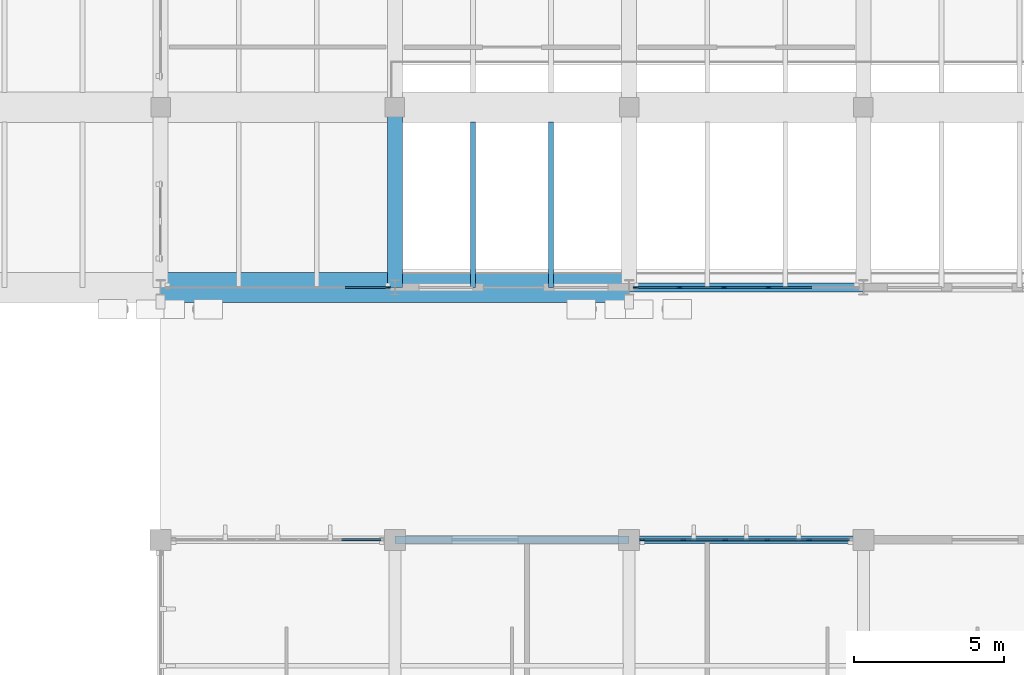
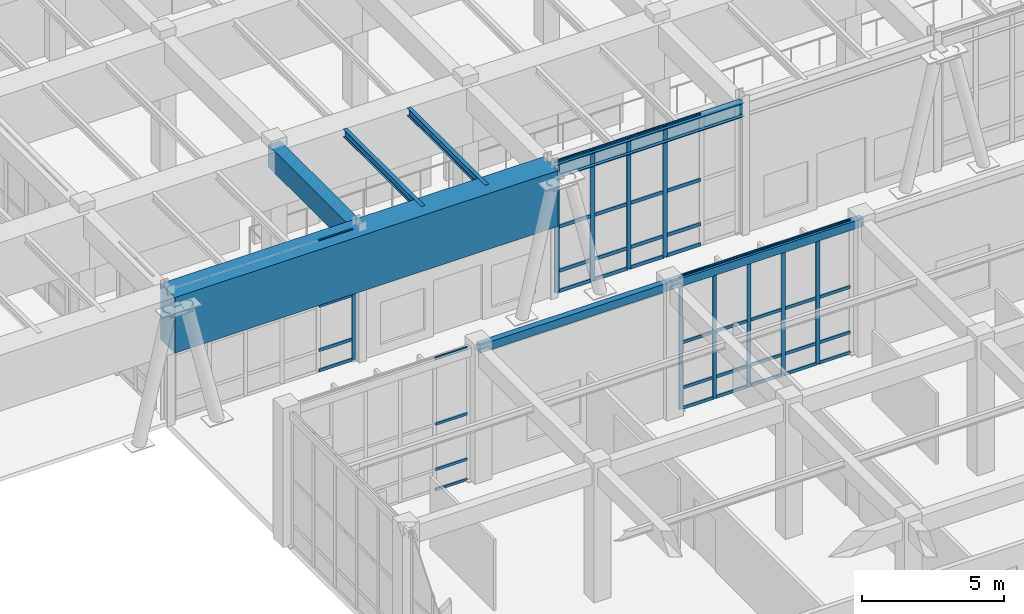
# One storey, part 20 of 110: 54 members, 7 beams, 4 elements without a shape of their own.
"""IFC4 building model written with IfcOpenShell, lengths in metres."""

from ifc_helpers import new_model, si_unit, direction, frame, origin, origin_2d, place, context, subcontext, project, spatial, rectangle, hollow_rectangle, i_section, extrude, material, material_profile, profile_set, type_object, element, aggregate, save


model = new_model("IFC4")

# Units and contexts
model_context = context("Model", 3, precision=1e-05, world=origin(), true_north=direction((0.0, 1.0)))
body_context = subcontext(model_context, "Body", "Model", "MODEL_VIEW")
ifc_project = project(units=[si_unit("LENGTHUNIT", "METRE"), si_unit("AREAUNIT", "SQUARE_METRE"), si_unit("VOLUMEUNIT", "CUBIC_METRE"), si_unit("PLANEANGLEUNIT", "RADIAN"), si_unit("MASSUNIT", "GRAM", prefix="KILO")], contexts=[model_context])

# Site, building, storey
site_placement = place(None, origin())
site = spatial("IfcSite", under=ifc_project, at=site_placement, CompositionType="ELEMENT")
building_placement = place(site_placement, origin())
building = spatial("IfcBuilding", under=site, at=building_placement, Name="Tizgana Railside Sports Hall", CompositionType="ELEMENT")
storey_placement = place(building_placement, origin())
storey = spatial("IfcBuildingStorey", under=building, at=storey_placement, Name="L00", CompositionType="ELEMENT", Elevation=0.0)

# Beam
ifc_material_1 = material(Name="Concrete C40/50", Category="concrete")
ifc_material_profile_1 = material_profile(ifc_material_1, rectangle(XDim=0.5, YDim=0.949951171875, at=origin_2d()), Name="RCB 500x950")
ifc_profile_set_1 = profile_set([ifc_material_profile_1], Name="Concrete C40/50")
beam_type_1 = type_object("IfcBeamType", Name="Concrete Beam RCB 500x950", PredefinedType="BEAM", material=ifc_profile_set_1)
beam_1_placement = place(storey_placement, frame((15.60009765625, 40.800048828125, 5.180908203125), z_axis=(0.0, 1.0, 0.0), x_axis=(-1.0, 0.0, 0.0)))
element("IfcBeam", 1, at=beam_1_placement, inside=storey, type_object=beam_type_1, Name="L00 BEM-0144", PredefinedType="BEAM", context=body_context, shape_type="SweptSolid", body=[
    extrude(rectangle(XDim=0.5, YDim=0.949951171875, at=origin_2d()), origin(), (0.0, 0.0, 1.0), 6.0),
])

# Curtain wall, member
ifc_material_2 = material(Name="Anodised aluminium and glass", Category="aluminium")
curtain_wall_type_1 = type_object("IfcCurtainWallType", Name="Unitised Curtain Wall Foyer 1300", PredefinedType="NOTDEFINED", material=ifc_material_2)
curtain_wall_1_placement = place(storey_placement, origin())
curtain_wall_1 = element("IfcCurtainWall", 2, at=curtain_wall_1_placement, inside=storey, type_object=curtain_wall_type_1, Name="L00 Curtain Wall CW-0001", PredefinedType="NOTDEFINED")
ifc_material_3 = material(Name="Anodised aluminium", Category="aluminium")
ifc_material_profile_2 = material_profile(ifc_material_3, rectangle(XDim=0.06005859375, YDim=0.159912109375, at=origin_2d()), Name="Mullion 60x160")
ifc_profile_set_2 = profile_set([ifc_material_profile_2], Name="Anodised aluminium")
member_type_1 = type_object("IfcMemberType", Name="Mullion 60x160", PredefinedType="MULLION", material=ifc_profile_set_2)
member_1_placement = place(storey_placement, frame((15.364990234375, 40.800048828125, 0.044921875), z_axis=(0.0, 0.0, 1.0), x_axis=(0.0, -1.0, 0.0)))
member_1 = element("IfcMember", 3, at=member_1_placement, type_object=member_type_1, Name="CW-02 mullion 1", PredefinedType="MULLION", context=body_context, shape_type="SweptSolid", body=[
    extrude(rectangle(XDim=0.06005859375, YDim=0.159912109375, at=origin_2d()), origin(), (0.0, 0.0, 1.0), 5.60498046875),
])

# Curtain wall, members
curtain_wall_type_2 = type_object("IfcCurtainWallType", Name="Unitised Curtain Wall EastHall 1500", PredefinedType="NOTDEFINED", material=ifc_material_2)
curtain_wall_2_placement = place(storey_placement, origin())
curtain_wall_2 = element("IfcCurtainWall", 4, at=curtain_wall_2_placement, inside=storey, type_object=curtain_wall_type_2, Name="L00 Curtain Wall CW-0079", PredefinedType="NOTDEFINED")
member_2_placement = place(storey_placement, frame((23.8349609375, 32.39990234375, 0.044921875), z_axis=(0.0, 0.0, 1.0), x_axis=(0.0, 1.0, 0.0)))
member_2 = element("IfcMember", 5, at=member_2_placement, type_object=member_type_1, Name="CW-08 mullion 1", PredefinedType="MULLION", context=body_context, shape_type="SweptSolid", body=[
    extrude(rectangle(XDim=0.06005859375, YDim=0.159912109375, at=origin_2d()), origin(), (0.0, 0.0, 1.0), 5.705078125),
])
member_3_placement = place(storey_placement, frame((25.202880859375, 32.39990234375, 0.044921875), z_axis=(0.0, 0.0, 1.0), x_axis=(0.0, 1.0, 0.0)))
member_3 = element("IfcMember", 6, at=member_3_placement, type_object=member_type_1, Name="CW-08 mullion 2", PredefinedType="MULLION", context=body_context, shape_type="SweptSolid", body=[
    extrude(rectangle(XDim=0.06005859375, YDim=0.159912109375, at=origin_2d()), origin(), (0.0, 0.0, 1.0), 5.705078125),
])
member_4_placement = place(storey_placement, frame((26.60107421875, 32.39990234375, 0.044921875), z_axis=(0.0, 0.0, 1.0), x_axis=(0.0, 1.0, 0.0)))
member_4 = element("IfcMember", 7, at=member_4_placement, type_object=member_type_1, Name="CW-08 mullion 3", PredefinedType="MULLION", context=body_context, shape_type="SweptSolid", body=[
    extrude(rectangle(XDim=0.06005859375, YDim=0.159912109375, at=origin_2d()), origin(), (0.0, 0.0, 1.0), 5.705078125),
])
member_5_placement = place(storey_placement, frame((27.9990234375, 32.39990234375, 0.044921875), z_axis=(0.0, 0.0, 1.0), x_axis=(0.0, 1.0, 0.0)))
member_5 = element("IfcMember", 8, at=member_5_placement, type_object=member_type_1, Name="CW-08 mullion 4", PredefinedType="MULLION", context=body_context, shape_type="SweptSolid", body=[
    extrude(rectangle(XDim=0.06005859375, YDim=0.159912109375, at=origin_2d()), origin(), (0.0, 0.0, 1.0), 5.705078125),
])
member_6_placement = place(storey_placement, frame((29.39697265625, 32.39990234375, 0.044921875), z_axis=(0.0, 0.0, 1.0), x_axis=(0.0, 1.0, 0.0)))
member_6 = element("IfcMember", 9, at=member_6_placement, type_object=member_type_1, Name="CW-08 mullion 5", PredefinedType="MULLION", context=body_context, shape_type="SweptSolid", body=[
    extrude(rectangle(XDim=0.06005859375, YDim=0.159912109375, at=origin_2d()), origin(), (0.0, 0.0, 1.0), 5.705078125),
])

curtain_wall_type_3 = type_object("IfcCurtainWallType", Name="Unitised Curtain Wall Studio 1400", PredefinedType="NOTDEFINED", material=ifc_material_2)
curtain_wall_3_placement = place(storey_placement, origin())
curtain_wall_3 = element("IfcCurtainWall", 10, at=curtain_wall_3_placement, inside=storey, type_object=curtain_wall_type_3, Name="L00 Curtain Wall CW-0002", PredefinedType="NOTDEFINED")
ifc_material_profile_3 = material_profile(ifc_material_3, rectangle(XDim=0.06005859375, YDim=0.179931640625, at=origin_2d()), Name="Mullion 60x180")
ifc_profile_set_3 = profile_set([ifc_material_profile_3], Name="Anodised aluminium")
member_type_2 = type_object("IfcMemberType", Name="Mullion 60x180", PredefinedType="MULLION", material=ifc_profile_set_3)
member_7_placement = place(storey_placement, frame((28.0390625, 40.800048828125, 0.044921875), z_axis=(0.0, 0.0, 1.0), x_axis=(0.0, -1.0, 0.0)))
member_7 = element("IfcMember", 11, at=member_7_placement, type_object=member_type_2, Name="CW-03 mullion 3", PredefinedType="MULLION", context=body_context, shape_type="SweptSolid", body=[
    extrude(rectangle(XDim=0.06005859375, YDim=0.179931640625, at=origin_2d()), origin(), (0.0, 0.0, 1.0), 5.60498046875),
])
member_8_placement = place(storey_placement, frame((26.56103515625, 40.800048828125, 0.044921875), z_axis=(0.0, 0.0, 1.0), x_axis=(0.0, -1.0, 0.0)))
member_8 = element("IfcMember", 12, at=member_8_placement, type_object=member_type_2, Name="CW-03 mullion 4", PredefinedType="MULLION", context=body_context, shape_type="SweptSolid", body=[
    extrude(rectangle(XDim=0.06005859375, YDim=0.179931640625, at=origin_2d()), origin(), (0.0, 0.0, 1.0), 5.60498046875),
])
member_9_placement = place(storey_placement, frame((25.0830078125, 40.800048828125, 0.044921875), z_axis=(0.0, 0.0, 1.0), x_axis=(0.0, -1.0, 0.0)))
member_9 = element("IfcMember", 13, at=member_9_placement, type_object=member_type_2, Name="CW-03 mullion 5", PredefinedType="MULLION", context=body_context, shape_type="SweptSolid", body=[
    extrude(rectangle(XDim=0.06005859375, YDim=0.179931640625, at=origin_2d()), origin(), (0.0, 0.0, 1.0), 5.60498046875),
])
member_10_placement = place(storey_placement, frame((23.635009765625, 40.800048828125, 0.044921875), z_axis=(0.0, 0.0, 1.0), x_axis=(0.0, -1.0, 0.0)))
member_10 = element("IfcMember", 14, at=member_10_placement, type_object=member_type_2, Name="CW-03 mullion 6", PredefinedType="MULLION", context=body_context, shape_type="SweptSolid", body=[
    extrude(rectangle(XDim=0.06005859375, YDim=0.179931640625, at=origin_2d()), origin(), (0.0, 0.0, 1.0), 5.60498046875),
])

# Beams
ifc_material_profile_4 = material_profile(ifc_material_1, rectangle(XDim=1.0, YDim=2.39990234375, at=origin_2d()), Name="PTG 1000x2400")
ifc_profile_set_4 = profile_set([ifc_material_profile_4], Name="Concrete C40/50")
beam_type_2 = type_object("IfcBeamType", Name="Post-Tensioned Girder PTG 1000x2400", PredefinedType="BEAM", material=ifc_profile_set_4)
beam_2_placement = place(storey_placement, frame((7.800048828125, 40.800048828125, 4.4560546875), z_axis=(1.0, 0.0, 0.0), x_axis=(0.0, 1.0, 0.0)))
element("IfcBeam", 15, at=beam_2_placement, inside=storey, type_object=beam_type_2, Name="L00 PTG-0002", PredefinedType="BEAM", context=body_context, shape_type="SweptSolid", body=[
    extrude(rectangle(XDim=1.0, YDim=2.39990234375, at=origin_2d()), origin(), (0.0, 0.0, 1.0), 15.599853515625),
])
ifc_material_4 = material(Name="Steel S355J2", Category="steel")
ifc_material_profile_5 = material_profile(ifc_material_4, i_section(OverallWidth=0.300048828125, OverallDepth=0.60009765625, WebThickness=0.015380859375, FlangeThickness=0.030029296875, FilletRadius=0.027099609375, at=origin_2d()), Name="HEB 600")
ifc_profile_set_5 = profile_set([ifc_material_profile_5], Name="Steel S355J2")
beam_type_3 = type_object("IfcBeamType", Name="Steel Beam HEB 600", PredefinedType="BEAM", material=ifc_profile_set_5)
beam_3_placement = place(storey_placement, frame((23.39990234375, 40.800048828125, 5.3359375), z_axis=(1.0, 0.0, 0.0), x_axis=(0.0, 1.0, 0.0)))
element("IfcBeam", 16, at=beam_3_placement, inside=storey, type_object=beam_type_3, Name="L00 BEM-0093", PredefinedType="BEAM", context=body_context, shape_type="SweptSolid", body=[
    extrude(i_section(OverallWidth=0.300048828125, OverallDepth=0.60009765625, WebThickness=0.015380859375, FlangeThickness=0.030029296875, FilletRadius=0.027099609375, at=origin_2d()), origin(), (0.0, 0.0, 1.0), 7.800048828125),
])
ifc_material_profile_6 = material_profile(ifc_material_4, i_section(OverallWidth=0.159912109375, OverallDepth=0.330078125, WebThickness=0.007568359375, FlangeThickness=0.011474609375, FilletRadius=0.01806640625, at=origin_2d()), Name="IPE 330")
ifc_profile_set_6 = profile_set([ifc_material_profile_6], Name="Steel S355J2")
beam_type_4 = type_object("IfcBeamType", Name="Steel Joist IPE 330", PredefinedType="JOIST", material=ifc_profile_set_6)
for number, where, z_axis, x_axis, name in (
    (17, (18.199951171875, 40.800048828125, 5.490966796875), (0.0, 1.0, 0.0), (-1.0, 0.0, 0.0), "L00 BEM-0198"),
    (18, (20.800048828125, 40.800048828125, 5.490966796875), (0.0, 1.0, 0.0), (-1.0, 0.0, 0.0), "L00 BEM-0203"),
):
    element("IfcBeam", number, at=place(storey_placement, frame(where, z_axis=z_axis, x_axis=x_axis)), inside=storey, type_object=beam_type_4, Name=name, PredefinedType="JOIST", context=body_context, shape_type="SweptSolid", body=[
        extrude(i_section(OverallWidth=0.159912109375, OverallDepth=0.330078125, WebThickness=0.007568359375, FlangeThickness=0.011474609375, FilletRadius=0.01806640625, at=origin_2d()), origin(), (0.0, 0.0, 1.0), 5.5048828125),
    ])
ifc_material_profile_7 = material_profile(ifc_material_4, hollow_rectangle(XDim=0.25, YDim=0.35009765625, WallThickness=0.011962890625, at=origin_2d()), Name="RHS 350x250x12")
ifc_profile_set_7 = profile_set([ifc_material_profile_7], Name="Steel S355J2")
beam_type_5 = type_object("IfcBeamType", Name="Steel Spandrel RHS 350x250x12", PredefinedType="SPANDREL", material=ifc_profile_set_7)
beam_4_placement = place(storey_placement, frame((15.60009765625, 32.39990234375, 5.571044921875), z_axis=(1.0, 0.0, 0.0), x_axis=(0.0, 1.0, 0.0)))
element("IfcBeam", 19, at=beam_4_placement, inside=storey, type_object=beam_type_5, Name="L00 BEM-0388", PredefinedType="SPANDREL", context=body_context, shape_type="SweptSolid", body=[
    extrude(hollow_rectangle(XDim=0.25, YDim=0.35009765625, WallThickness=0.011962890625, at=origin_2d()), origin(), (0.0, 0.0, 1.0), 7.7998046875),
])
beam_5_placement = place(storey_placement, frame((23.39990234375, 32.39990234375, 5.571044921875), z_axis=(1.0, 0.0, 0.0), x_axis=(0.0, 1.0, 0.0)))
element("IfcBeam", 20, at=beam_5_placement, inside=storey, type_object=beam_type_5, Name="L00 BEM-0396", PredefinedType="SPANDREL", context=body_context, shape_type="SweptSolid", body=[
    extrude(hollow_rectangle(XDim=0.25, YDim=0.35009765625, WallThickness=0.011962890625, at=origin_2d()), origin(), (0.0, 0.0, 1.0), 7.800048828125),
])

# Curtain wall, members
curtain_wall_type_4 = type_object("IfcCurtainWallType", Name="Unitised Curtain Wall WestHall 1560", PredefinedType="NOTDEFINED", material=ifc_material_2)
curtain_wall_4_placement = place(storey_placement, origin())
curtain_wall_4 = element("IfcCurtainWall", 21, at=curtain_wall_4_placement, inside=storey, type_object=curtain_wall_type_4, Name="L00 Curtain Wall CW-0078", PredefinedType="NOTDEFINED")
ifc_material_profile_8 = material_profile(ifc_material_3, rectangle(XDim=0.06005859375, YDim=0.110107421875, at=origin_2d()), Name="Transom 60x110")
ifc_profile_set_8 = profile_set([ifc_material_profile_8], Name="Anodised aluminium")
member_type_3 = type_object("IfcMemberType", Name="Transom 60x110", PredefinedType="USERDEFINED", material=ifc_profile_set_8)
member_11_placement = place(storey_placement, frame((13.826904296875, 32.39990234375, 0.074951171875), z_axis=(1.0, 0.0, 0.0), x_axis=(0.0, 1.0, 0.0)))
member_11 = element("IfcMember", 22, at=member_11_placement, type_object=member_type_3, Name="CW-07 transom 5.1", ObjectType="TRANSOM", PredefinedType="USERDEFINED", context=body_context, shape_type="SweptSolid", body=[
    extrude(rectangle(XDim=0.06005859375, YDim=0.110107421875, at=origin_2d()), origin(), (0.0, 0.0, 1.0), 1.30810546875),
])
member_12_placement = place(storey_placement, frame((13.826904296875, 32.39990234375, 0.945068359375), z_axis=(1.0, 0.0, 0.0), x_axis=(0.0, 1.0, 0.0)))
member_12 = element("IfcMember", 23, at=member_12_placement, type_object=member_type_3, Name="CW-07 transom 5.2", ObjectType="TRANSOM", PredefinedType="USERDEFINED", context=body_context, shape_type="SweptSolid", body=[
    extrude(rectangle(XDim=0.06005859375, YDim=0.110107421875, at=origin_2d()), origin(), (0.0, 0.0, 1.0), 1.30810546875),
])
member_13_placement = place(storey_placement, frame((13.826904296875, 32.39990234375, 2.8974609375), z_axis=(1.0, 0.0, 0.0), x_axis=(0.0, 1.0, 0.0)))
member_13 = element("IfcMember", 24, at=member_13_placement, type_object=member_type_3, Name="CW-07 transom 5.3", ObjectType="TRANSOM", PredefinedType="USERDEFINED", context=body_context, shape_type="SweptSolid", body=[
    extrude(rectangle(XDim=0.06005859375, YDim=0.110107421875, at=origin_2d()), origin(), (0.0, 0.0, 1.0), 1.30810546875),
])
member_14_placement = place(storey_placement, frame((13.826904296875, 32.39990234375, 5.719970703125), z_axis=(1.0, 0.0, 0.0), x_axis=(0.0, 1.0, 0.0)))
member_14 = element("IfcMember", 25, at=member_14_placement, type_object=member_type_3, Name="CW-07 transom 5.4", ObjectType="TRANSOM", PredefinedType="USERDEFINED", context=body_context, shape_type="SweptSolid", body=[
    extrude(rectangle(XDim=0.06005859375, YDim=0.110107421875, at=origin_2d()), origin(), (0.0, 0.0, 1.0), 1.30810546875),
])
aggregate(curtain_wall_4, [member_11, member_12, member_13, member_14])

# Member
ifc_material_profile_9 = material_profile(ifc_material_3, rectangle(XDim=0.06005859375, YDim=0.1298828125, at=origin_2d()), Name="Transom 60x130")
ifc_profile_set_9 = profile_set([ifc_material_profile_9], Name="Anodised aluminium")
member_type_4 = type_object("IfcMemberType", Name="Transom 60x130", PredefinedType="USERDEFINED", material=ifc_profile_set_9)
member_15_placement = place(storey_placement, frame((15.3349609375, 40.800048828125, 0.074951171875), z_axis=(-1.0, 0.0, 0.0), x_axis=(0.0, -1.0, 0.0)))
member_15 = element("IfcMember", 26, at=member_15_placement, type_object=member_type_4, Name="CW-02 transom 1.1", ObjectType="TRANSOM", PredefinedType="USERDEFINED", context=body_context, shape_type="SweptSolid", body=[
    extrude(rectangle(XDim=0.06005859375, YDim=0.1298828125, at=origin_2d()), origin(), (0.0, 0.0, 1.0), 1.387939453125),
])

member_16_placement = place(storey_placement, frame((15.3349609375, 40.800048828125, 0.945068359375), z_axis=(-1.0, 0.0, 0.0), x_axis=(0.0, -1.0, 0.0)))
member_16 = element("IfcMember", 27, at=member_16_placement, type_object=member_type_4, Name="CW-02 transom 1.2", ObjectType="TRANSOM", PredefinedType="USERDEFINED", context=body_context, shape_type="SweptSolid", body=[
    extrude(rectangle(XDim=0.06005859375, YDim=0.1298828125, at=origin_2d()), origin(), (0.0, 0.0, 1.0), 1.387939453125),
])

member_17_placement = place(storey_placement, frame((15.3349609375, 40.800048828125, 2.847412109375), z_axis=(-1.0, 0.0, 0.0), x_axis=(0.0, -1.0, 0.0)))
member_17 = element("IfcMember", 28, at=member_17_placement, type_object=member_type_4, Name="CW-02 transom 1.3", ObjectType="TRANSOM", PredefinedType="USERDEFINED", context=body_context, shape_type="SweptSolid", body=[
    extrude(rectangle(XDim=0.06005859375, YDim=0.1298828125, at=origin_2d()), origin(), (0.0, 0.0, 1.0), 1.387939453125),
])

member_18_placement = place(storey_placement, frame((15.3349609375, 40.800048828125, 5.6201171875), z_axis=(-1.0, 0.0, 0.0), x_axis=(0.0, -1.0, 0.0)))
member_18 = element("IfcMember", 29, at=member_18_placement, type_object=member_type_4, Name="CW-02 transom 1.4", ObjectType="TRANSOM", PredefinedType="USERDEFINED", context=body_context, shape_type="SweptSolid", body=[
    extrude(rectangle(XDim=0.06005859375, YDim=0.1298828125, at=origin_2d()), origin(), (0.0, 0.0, 1.0), 1.387939453125),
])

aggregate(curtain_wall_1, [member_1, member_15, member_16, member_17, member_18])

member_19_placement = place(storey_placement, frame((23.864990234375, 32.39990234375, 0.074951171875), z_axis=(1.0, 0.0, 0.0), x_axis=(0.0, 1.0, 0.0)))
member_19 = element("IfcMember", 30, at=member_19_placement, type_object=member_type_4, Name="CW-08 transom 1.1", ObjectType="TRANSOM", PredefinedType="USERDEFINED", context=body_context, shape_type="SweptSolid", body=[
    extrude(rectangle(XDim=0.06005859375, YDim=0.1298828125, at=origin_2d()), origin(), (0.0, 0.0, 1.0), 1.30810546875),
])

member_20_placement = place(storey_placement, frame((23.864990234375, 32.39990234375, 0.945068359375), z_axis=(1.0, 0.0, 0.0), x_axis=(0.0, 1.0, 0.0)))
member_20 = element("IfcMember", 31, at=member_20_placement, type_object=member_type_4, Name="CW-08 transom 1.2", ObjectType="TRANSOM", PredefinedType="USERDEFINED", context=body_context, shape_type="SweptSolid", body=[
    extrude(rectangle(XDim=0.06005859375, YDim=0.1298828125, at=origin_2d()), origin(), (0.0, 0.0, 1.0), 1.30810546875),
])

member_21_placement = place(storey_placement, frame((23.864990234375, 32.39990234375, 2.8974609375), z_axis=(1.0, 0.0, 0.0), x_axis=(0.0, 1.0, 0.0)))
member_21 = element("IfcMember", 32, at=member_21_placement, type_object=member_type_4, Name="CW-08 transom 1.3", ObjectType="TRANSOM", PredefinedType="USERDEFINED", context=body_context, shape_type="SweptSolid", body=[
    extrude(rectangle(XDim=0.06005859375, YDim=0.1298828125, at=origin_2d()), origin(), (0.0, 0.0, 1.0), 1.30810546875),
])

member_22_placement = place(storey_placement, frame((23.864990234375, 32.39990234375, 5.719970703125), z_axis=(1.0, 0.0, 0.0), x_axis=(0.0, 1.0, 0.0)))
member_22 = element("IfcMember", 33, at=member_22_placement, type_object=member_type_4, Name="CW-08 transom 1.4", ObjectType="TRANSOM", PredefinedType="USERDEFINED", context=body_context, shape_type="SweptSolid", body=[
    extrude(rectangle(XDim=0.06005859375, YDim=0.1298828125, at=origin_2d()), origin(), (0.0, 0.0, 1.0), 1.30810546875),
])

member_23_placement = place(storey_placement, frame((25.23291015625, 32.39990234375, 0.074951171875), z_axis=(1.0, 0.0, 0.0), x_axis=(0.0, 1.0, 0.0)))
member_23 = element("IfcMember", 34, at=member_23_placement, type_object=member_type_4, Name="CW-08 transom 2.1", ObjectType="TRANSOM", PredefinedType="USERDEFINED", context=body_context, shape_type="SweptSolid", body=[
    extrude(rectangle(XDim=0.06005859375, YDim=0.1298828125, at=origin_2d()), origin(), (0.0, 0.0, 1.0), 1.338134765625),
])

member_24_placement = place(storey_placement, frame((25.23291015625, 32.39990234375, 0.945068359375), z_axis=(1.0, 0.0, 0.0), x_axis=(0.0, 1.0, 0.0)))
member_24 = element("IfcMember", 35, at=member_24_placement, type_object=member_type_4, Name="CW-08 transom 2.2", ObjectType="TRANSOM", PredefinedType="USERDEFINED", context=body_context, shape_type="SweptSolid", body=[
    extrude(rectangle(XDim=0.06005859375, YDim=0.1298828125, at=origin_2d()), origin(), (0.0, 0.0, 1.0), 1.338134765625),
])

member_25_placement = place(storey_placement, frame((25.23291015625, 32.39990234375, 2.8974609375), z_axis=(1.0, 0.0, 0.0), x_axis=(0.0, 1.0, 0.0)))
member_25 = element("IfcMember", 36, at=member_25_placement, type_object=member_type_4, Name="CW-08 transom 2.3", ObjectType="TRANSOM", PredefinedType="USERDEFINED", context=body_context, shape_type="SweptSolid", body=[
    extrude(rectangle(XDim=0.06005859375, YDim=0.1298828125, at=origin_2d()), origin(), (0.0, 0.0, 1.0), 1.338134765625),
])

member_26_placement = place(storey_placement, frame((25.23291015625, 32.39990234375, 5.719970703125), z_axis=(1.0, 0.0, 0.0), x_axis=(0.0, 1.0, 0.0)))
member_26 = element("IfcMember", 37, at=member_26_placement, type_object=member_type_4, Name="CW-08 transom 2.4", ObjectType="TRANSOM", PredefinedType="USERDEFINED", context=body_context, shape_type="SweptSolid", body=[
    extrude(rectangle(XDim=0.06005859375, YDim=0.1298828125, at=origin_2d()), origin(), (0.0, 0.0, 1.0), 1.338134765625),
])

member_27_placement = place(storey_placement, frame((26.631103515625, 32.39990234375, 0.074951171875), z_axis=(1.0, 0.0, 0.0), x_axis=(0.0, 1.0, 0.0)))
member_27 = element("IfcMember", 38, at=member_27_placement, type_object=member_type_4, Name="CW-08 transom 3.1", ObjectType="TRANSOM", PredefinedType="USERDEFINED", context=body_context, shape_type="SweptSolid", body=[
    extrude(rectangle(XDim=0.06005859375, YDim=0.1298828125, at=origin_2d()), origin(), (0.0, 0.0, 1.0), 1.337890625),
])

member_28_placement = place(storey_placement, frame((26.631103515625, 32.39990234375, 0.945068359375), z_axis=(1.0, 0.0, 0.0), x_axis=(0.0, 1.0, 0.0)))
member_28 = element("IfcMember", 39, at=member_28_placement, type_object=member_type_4, Name="CW-08 transom 3.2", ObjectType="TRANSOM", PredefinedType="USERDEFINED", context=body_context, shape_type="SweptSolid", body=[
    extrude(rectangle(XDim=0.06005859375, YDim=0.1298828125, at=origin_2d()), origin(), (0.0, 0.0, 1.0), 1.337890625),
])

member_29_placement = place(storey_placement, frame((26.631103515625, 32.39990234375, 2.8974609375), z_axis=(1.0, 0.0, 0.0), x_axis=(0.0, 1.0, 0.0)))
member_29 = element("IfcMember", 40, at=member_29_placement, type_object=member_type_4, Name="CW-08 transom 3.3", ObjectType="TRANSOM", PredefinedType="USERDEFINED", context=body_context, shape_type="SweptSolid", body=[
    extrude(rectangle(XDim=0.06005859375, YDim=0.1298828125, at=origin_2d()), origin(), (0.0, 0.0, 1.0), 1.337890625),
])

member_30_placement = place(storey_placement, frame((26.631103515625, 32.39990234375, 5.719970703125), z_axis=(1.0, 0.0, 0.0), x_axis=(0.0, 1.0, 0.0)))
member_30 = element("IfcMember", 41, at=member_30_placement, type_object=member_type_4, Name="CW-08 transom 3.4", ObjectType="TRANSOM", PredefinedType="USERDEFINED", context=body_context, shape_type="SweptSolid", body=[
    extrude(rectangle(XDim=0.06005859375, YDim=0.1298828125, at=origin_2d()), origin(), (0.0, 0.0, 1.0), 1.337890625),
])

member_31_placement = place(storey_placement, frame((28.029052734375, 32.39990234375, 0.074951171875), z_axis=(1.0, 0.0, 0.0), x_axis=(0.0, 1.0, 0.0)))
member_31 = element("IfcMember", 42, at=member_31_placement, type_object=member_type_4, Name="CW-08 transom 4.1", ObjectType="TRANSOM", PredefinedType="USERDEFINED", context=body_context, shape_type="SweptSolid", body=[
    extrude(rectangle(XDim=0.06005859375, YDim=0.1298828125, at=origin_2d()), origin(), (0.0, 0.0, 1.0), 1.337890625),
])

member_32_placement = place(storey_placement, frame((28.029052734375, 32.39990234375, 0.945068359375), z_axis=(1.0, 0.0, 0.0), x_axis=(0.0, 1.0, 0.0)))
member_32 = element("IfcMember", 43, at=member_32_placement, type_object=member_type_4, Name="CW-08 transom 4.2", ObjectType="TRANSOM", PredefinedType="USERDEFINED", context=body_context, shape_type="SweptSolid", body=[
    extrude(rectangle(XDim=0.06005859375, YDim=0.1298828125, at=origin_2d()), origin(), (0.0, 0.0, 1.0), 1.337890625),
])

member_33_placement = place(storey_placement, frame((28.029052734375, 32.39990234375, 2.8974609375), z_axis=(1.0, 0.0, 0.0), x_axis=(0.0, 1.0, 0.0)))
member_33 = element("IfcMember", 44, at=member_33_placement, type_object=member_type_4, Name="CW-08 transom 4.3", ObjectType="TRANSOM", PredefinedType="USERDEFINED", context=body_context, shape_type="SweptSolid", body=[
    extrude(rectangle(XDim=0.06005859375, YDim=0.1298828125, at=origin_2d()), origin(), (0.0, 0.0, 1.0), 1.337890625),
])

member_34_placement = place(storey_placement, frame((28.029052734375, 32.39990234375, 5.719970703125), z_axis=(1.0, 0.0, 0.0), x_axis=(0.0, 1.0, 0.0)))
member_34 = element("IfcMember", 45, at=member_34_placement, type_object=member_type_4, Name="CW-08 transom 4.4", ObjectType="TRANSOM", PredefinedType="USERDEFINED", context=body_context, shape_type="SweptSolid", body=[
    extrude(rectangle(XDim=0.06005859375, YDim=0.1298828125, at=origin_2d()), origin(), (0.0, 0.0, 1.0), 1.337890625),
])

member_35_placement = place(storey_placement, frame((29.427001953125, 32.39990234375, 0.074951171875), z_axis=(1.0, 0.0, 0.0), x_axis=(0.0, 1.0, 0.0)))
member_35 = element("IfcMember", 46, at=member_35_placement, type_object=member_type_4, Name="CW-08 transom 5.1", ObjectType="TRANSOM", PredefinedType="USERDEFINED", context=body_context, shape_type="SweptSolid", body=[
    extrude(rectangle(XDim=0.06005859375, YDim=0.1298828125, at=origin_2d()), origin(), (0.0, 0.0, 1.0), 1.30810546875),
])

member_36_placement = place(storey_placement, frame((29.427001953125, 32.39990234375, 0.945068359375), z_axis=(1.0, 0.0, 0.0), x_axis=(0.0, 1.0, 0.0)))
member_36 = element("IfcMember", 47, at=member_36_placement, type_object=member_type_4, Name="CW-08 transom 5.2", ObjectType="TRANSOM", PredefinedType="USERDEFINED", context=body_context, shape_type="SweptSolid", body=[
    extrude(rectangle(XDim=0.06005859375, YDim=0.1298828125, at=origin_2d()), origin(), (0.0, 0.0, 1.0), 1.30810546875),
])

member_37_placement = place(storey_placement, frame((29.427001953125, 32.39990234375, 2.8974609375), z_axis=(1.0, 0.0, 0.0), x_axis=(0.0, 1.0, 0.0)))
member_37 = element("IfcMember", 48, at=member_37_placement, type_object=member_type_4, Name="CW-08 transom 5.3", ObjectType="TRANSOM", PredefinedType="USERDEFINED", context=body_context, shape_type="SweptSolid", body=[
    extrude(rectangle(XDim=0.06005859375, YDim=0.1298828125, at=origin_2d()), origin(), (0.0, 0.0, 1.0), 1.30810546875),
])

member_38_placement = place(storey_placement, frame((29.427001953125, 32.39990234375, 5.719970703125), z_axis=(1.0, 0.0, 0.0), x_axis=(0.0, 1.0, 0.0)))
member_38 = element("IfcMember", 49, at=member_38_placement, type_object=member_type_4, Name="CW-08 transom 5.4", ObjectType="TRANSOM", PredefinedType="USERDEFINED", context=body_context, shape_type="SweptSolid", body=[
    extrude(rectangle(XDim=0.06005859375, YDim=0.1298828125, at=origin_2d()), origin(), (0.0, 0.0, 1.0), 1.30810546875),
])

aggregate(curtain_wall_2, [member_2, member_3, member_4, member_5, member_6, member_19, member_20, member_21, member_22, member_23, member_24, member_25, member_26, member_27, member_28, member_29, member_30, member_31, member_32, member_33, member_34, member_35, member_36, member_37, member_38])

ifc_material_profile_10 = material_profile(ifc_material_3, rectangle(XDim=0.06005859375, YDim=0.14990234375, at=origin_2d()), Name="Transom 60x150")
ifc_profile_set_10 = profile_set([ifc_material_profile_10], Name="Anodised aluminium")
member_type_5 = type_object("IfcMemberType", Name="Transom 60x150", PredefinedType="USERDEFINED", material=ifc_profile_set_10)
member_39_placement = place(storey_placement, frame((29.487060546875, 40.800048828125, 0.074951171875), z_axis=(-1.0, 0.0, 0.0), x_axis=(0.0, -1.0, 0.0)))
member_39 = element("IfcMember", 50, at=member_39_placement, type_object=member_type_5, Name="CW-03 transom 2.1", ObjectType="TRANSOM", PredefinedType="USERDEFINED", context=body_context, shape_type="SweptSolid", body=[
    extrude(rectangle(XDim=0.06005859375, YDim=0.14990234375, at=origin_2d()), origin(), (0.0, 0.0, 1.0), 1.41796875),
])

member_40_placement = place(storey_placement, frame((29.487060546875, 40.800048828125, 0.945068359375), z_axis=(-1.0, 0.0, 0.0), x_axis=(0.0, -1.0, 0.0)))
member_40 = element("IfcMember", 51, at=member_40_placement, type_object=member_type_5, Name="CW-03 transom 2.2", ObjectType="TRANSOM", PredefinedType="USERDEFINED", context=body_context, shape_type="SweptSolid", body=[
    extrude(rectangle(XDim=0.06005859375, YDim=0.14990234375, at=origin_2d()), origin(), (0.0, 0.0, 1.0), 1.41796875),
])

member_41_placement = place(storey_placement, frame((29.487060546875, 40.800048828125, 2.847412109375), z_axis=(-1.0, 0.0, 0.0), x_axis=(0.0, -1.0, 0.0)))
member_41 = element("IfcMember", 52, at=member_41_placement, type_object=member_type_5, Name="CW-03 transom 2.3", ObjectType="TRANSOM", PredefinedType="USERDEFINED", context=body_context, shape_type="SweptSolid", body=[
    extrude(rectangle(XDim=0.06005859375, YDim=0.14990234375, at=origin_2d()), origin(), (0.0, 0.0, 1.0), 1.41796875),
])

member_42_placement = place(storey_placement, frame((29.487060546875, 40.800048828125, 5.6201171875), z_axis=(-1.0, 0.0, 0.0), x_axis=(0.0, -1.0, 0.0)))
member_42 = element("IfcMember", 53, at=member_42_placement, type_object=member_type_5, Name="CW-03 transom 2.4", ObjectType="TRANSOM", PredefinedType="USERDEFINED", context=body_context, shape_type="SweptSolid", body=[
    extrude(rectangle(XDim=0.06005859375, YDim=0.14990234375, at=origin_2d()), origin(), (0.0, 0.0, 1.0), 1.41796875),
])

member_43_placement = place(storey_placement, frame((28.009033203125, 40.800048828125, 0.074951171875), z_axis=(-1.0, 0.0, 0.0), x_axis=(0.0, -1.0, 0.0)))
member_43 = element("IfcMember", 54, at=member_43_placement, type_object=member_type_5, Name="CW-03 transom 3.1", ObjectType="TRANSOM", PredefinedType="USERDEFINED", context=body_context, shape_type="SweptSolid", body=[
    extrude(rectangle(XDim=0.06005859375, YDim=0.14990234375, at=origin_2d()), origin(), (0.0, 0.0, 1.0), 1.41796875),
])

member_44_placement = place(storey_placement, frame((28.009033203125, 40.800048828125, 0.945068359375), z_axis=(-1.0, 0.0, 0.0), x_axis=(0.0, -1.0, 0.0)))
member_44 = element("IfcMember", 55, at=member_44_placement, type_object=member_type_5, Name="CW-03 transom 3.2", ObjectType="TRANSOM", PredefinedType="USERDEFINED", context=body_context, shape_type="SweptSolid", body=[
    extrude(rectangle(XDim=0.06005859375, YDim=0.14990234375, at=origin_2d()), origin(), (0.0, 0.0, 1.0), 1.41796875),
])

member_45_placement = place(storey_placement, frame((28.009033203125, 40.800048828125, 2.847412109375), z_axis=(-1.0, 0.0, 0.0), x_axis=(0.0, -1.0, 0.0)))
member_45 = element("IfcMember", 56, at=member_45_placement, type_object=member_type_5, Name="CW-03 transom 3.3", ObjectType="TRANSOM", PredefinedType="USERDEFINED", context=body_context, shape_type="SweptSolid", body=[
    extrude(rectangle(XDim=0.06005859375, YDim=0.14990234375, at=origin_2d()), origin(), (0.0, 0.0, 1.0), 1.41796875),
])

member_46_placement = place(storey_placement, frame((28.009033203125, 40.800048828125, 5.6201171875), z_axis=(-1.0, 0.0, 0.0), x_axis=(0.0, -1.0, 0.0)))
member_46 = element("IfcMember", 57, at=member_46_placement, type_object=member_type_5, Name="CW-03 transom 3.4", ObjectType="TRANSOM", PredefinedType="USERDEFINED", context=body_context, shape_type="SweptSolid", body=[
    extrude(rectangle(XDim=0.06005859375, YDim=0.14990234375, at=origin_2d()), origin(), (0.0, 0.0, 1.0), 1.41796875),
])

member_47_placement = place(storey_placement, frame((26.531005859375, 40.800048828125, 0.074951171875), z_axis=(-1.0, 0.0, 0.0), x_axis=(0.0, -1.0, 0.0)))
member_47 = element("IfcMember", 58, at=member_47_placement, type_object=member_type_5, Name="CW-03 transom 4.1", ObjectType="TRANSOM", PredefinedType="USERDEFINED", context=body_context, shape_type="SweptSolid", body=[
    extrude(rectangle(XDim=0.06005859375, YDim=0.14990234375, at=origin_2d()), origin(), (0.0, 0.0, 1.0), 1.41796875),
])

member_48_placement = place(storey_placement, frame((26.531005859375, 40.800048828125, 0.945068359375), z_axis=(-1.0, 0.0, 0.0), x_axis=(0.0, -1.0, 0.0)))
member_48 = element("IfcMember", 59, at=member_48_placement, type_object=member_type_5, Name="CW-03 transom 4.2", ObjectType="TRANSOM", PredefinedType="USERDEFINED", context=body_context, shape_type="SweptSolid", body=[
    extrude(rectangle(XDim=0.06005859375, YDim=0.14990234375, at=origin_2d()), origin(), (0.0, 0.0, 1.0), 1.41796875),
])

member_49_placement = place(storey_placement, frame((26.531005859375, 40.800048828125, 2.847412109375), z_axis=(-1.0, 0.0, 0.0), x_axis=(0.0, -1.0, 0.0)))
member_49 = element("IfcMember", 60, at=member_49_placement, type_object=member_type_5, Name="CW-03 transom 4.3", ObjectType="TRANSOM", PredefinedType="USERDEFINED", context=body_context, shape_type="SweptSolid", body=[
    extrude(rectangle(XDim=0.06005859375, YDim=0.14990234375, at=origin_2d()), origin(), (0.0, 0.0, 1.0), 1.41796875),
])

member_50_placement = place(storey_placement, frame((26.531005859375, 40.800048828125, 5.6201171875), z_axis=(-1.0, 0.0, 0.0), x_axis=(0.0, -1.0, 0.0)))
member_50 = element("IfcMember", 61, at=member_50_placement, type_object=member_type_5, Name="CW-03 transom 4.4", ObjectType="TRANSOM", PredefinedType="USERDEFINED", context=body_context, shape_type="SweptSolid", body=[
    extrude(rectangle(XDim=0.06005859375, YDim=0.14990234375, at=origin_2d()), origin(), (0.0, 0.0, 1.0), 1.41796875),
])

member_51_placement = place(storey_placement, frame((25.052978515625, 40.800048828125, 0.074951171875), z_axis=(-1.0, 0.0, 0.0), x_axis=(0.0, -1.0, 0.0)))
member_51 = element("IfcMember", 62, at=member_51_placement, type_object=member_type_5, Name="CW-03 transom 5.1", ObjectType="TRANSOM", PredefinedType="USERDEFINED", context=body_context, shape_type="SweptSolid", body=[
    extrude(rectangle(XDim=0.06005859375, YDim=0.14990234375, at=origin_2d()), origin(), (0.0, 0.0, 1.0), 1.387939453125),
])

member_52_placement = place(storey_placement, frame((25.052978515625, 40.800048828125, 0.945068359375), z_axis=(-1.0, 0.0, 0.0), x_axis=(0.0, -1.0, 0.0)))
member_52 = element("IfcMember", 63, at=member_52_placement, type_object=member_type_5, Name="CW-03 transom 5.2", ObjectType="TRANSOM", PredefinedType="USERDEFINED", context=body_context, shape_type="SweptSolid", body=[
    extrude(rectangle(XDim=0.06005859375, YDim=0.14990234375, at=origin_2d()), origin(), (0.0, 0.0, 1.0), 1.387939453125),
])

member_53_placement = place(storey_placement, frame((25.052978515625, 40.800048828125, 2.847412109375), z_axis=(-1.0, 0.0, 0.0), x_axis=(0.0, -1.0, 0.0)))
member_53 = element("IfcMember", 64, at=member_53_placement, type_object=member_type_5, Name="CW-03 transom 5.3", ObjectType="TRANSOM", PredefinedType="USERDEFINED", context=body_context, shape_type="SweptSolid", body=[
    extrude(rectangle(XDim=0.06005859375, YDim=0.14990234375, at=origin_2d()), origin(), (0.0, 0.0, 1.0), 1.387939453125),
])

member_54_placement = place(storey_placement, frame((25.052978515625, 40.800048828125, 5.6201171875), z_axis=(-1.0, 0.0, 0.0), x_axis=(0.0, -1.0, 0.0)))
member_54 = element("IfcMember", 65, at=member_54_placement, type_object=member_type_5, Name="CW-03 transom 5.4", ObjectType="TRANSOM", PredefinedType="USERDEFINED", context=body_context, shape_type="SweptSolid", body=[
    extrude(rectangle(XDim=0.06005859375, YDim=0.14990234375, at=origin_2d()), origin(), (0.0, 0.0, 1.0), 1.387939453125),
])

aggregate(curtain_wall_3, [member_7, member_8, member_9, member_10, member_39, member_40, member_41, member_42, member_43, member_44, member_45, member_46, member_47, member_48, member_49, member_50, member_51, member_52, member_53, member_54])

save(model, "model.ifc")
